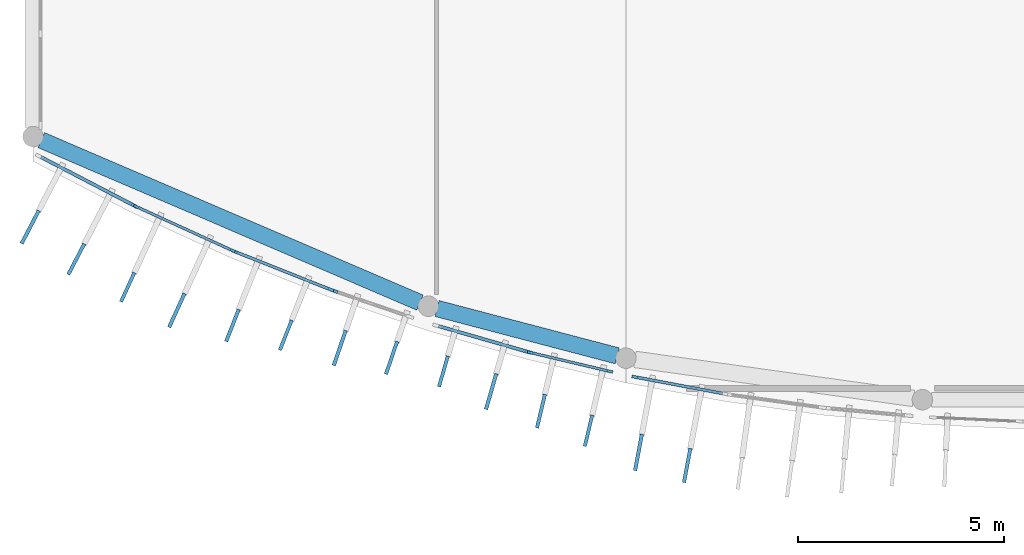
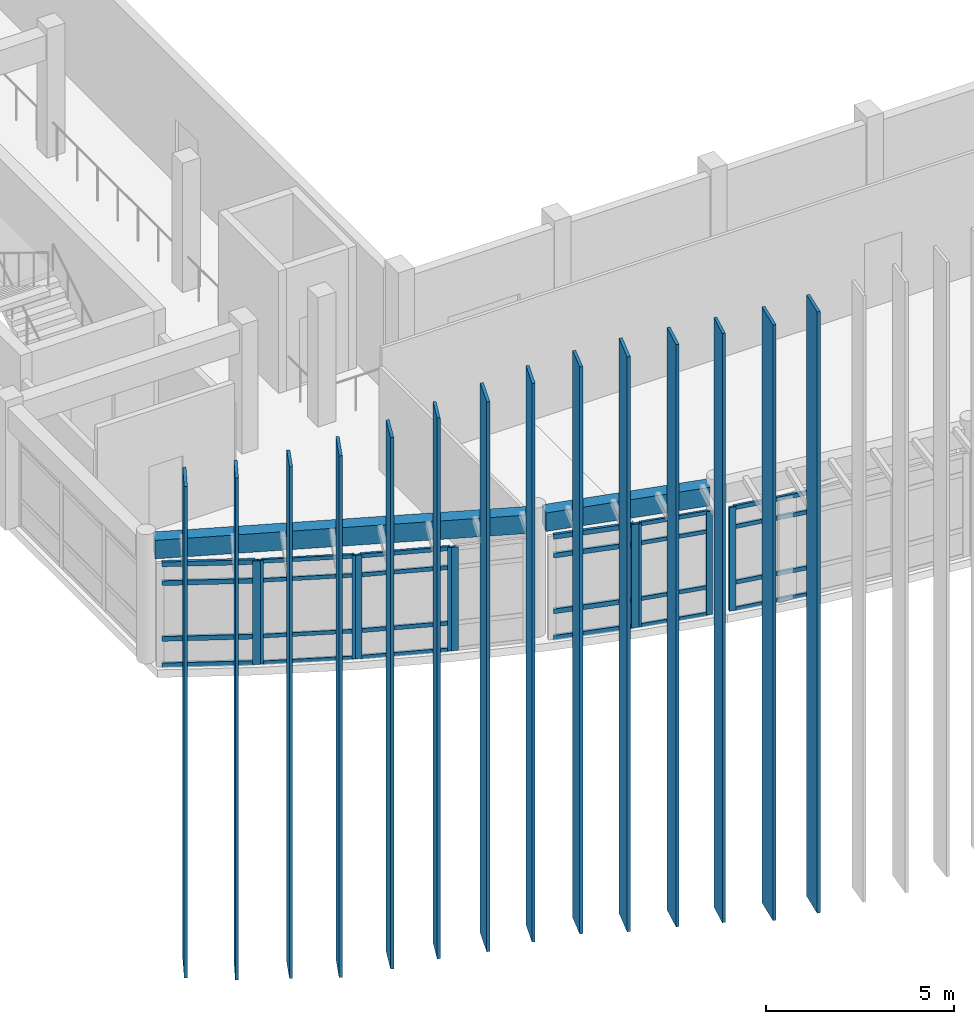
# One storey, part 5 of 47: 48 members, 2 beams, 7 elements without a shape of their own.
"""IFC4 building model written with IfcOpenShell, lengths in metres."""

from ifc_helpers import new_model, si_unit, direction, frame, origin, origin_2d, place, context, subcontext, project, spatial, rectangle, extrude, material, layer, layer_set, material_profile, profile_set, type_object, element, aggregate, save


model = new_model("IFC4")

# Units and contexts
model_context = context("Model", 3, precision=1e-05, world=origin(), true_north=direction((0.0, 1.0)))
body_context = subcontext(model_context, "Body", "Model", "MODEL_VIEW")
ifc_project = project(units=[si_unit("LENGTHUNIT", "METRE"), si_unit("AREAUNIT", "SQUARE_METRE"), si_unit("VOLUMEUNIT", "CUBIC_METRE"), si_unit("PLANEANGLEUNIT", "RADIAN"), si_unit("MASSUNIT", "GRAM", prefix="KILO")], contexts=[model_context])

# Site, building, storey
site_placement = place(None, origin())
site = spatial("IfcSite", under=ifc_project, at=site_placement, CompositionType="ELEMENT")
building_placement = place(site_placement, origin())
building = spatial("IfcBuilding", under=site, at=building_placement, Name="Brisavento Harbour Community Centre", CompositionType="ELEMENT")
storey_placement = place(building_placement, frame((0.0, 0.0, 8.699951171875)))
storey = spatial("IfcBuildingStorey", under=building, at=storey_placement, Name="L02", CompositionType="ELEMENT", Elevation=8.699951171875)

# Beams
ifc_material_1 = material(Name="Concrete C35/45", Category="concrete")
ifc_material_profile_1 = material_profile(ifc_material_1, rectangle(XDim=0.39990234375, YDim=0.60009765625, at=origin_2d()), Name="Concrete C35/45")
ifc_profile_set_1 = profile_set([ifc_material_profile_1], Name="Concrete C35/45")
beam_type = type_object("IfcBeamType", Name="BM-SPN-400x600", PredefinedType="SPANDREL", material=ifc_profile_set_1)
beam_1_placement = place(storey_placement, frame((0.2021484375, 7.027587890625, 3.66015625), z_axis=(0.918969522078, -0.394328565401, 0.0), x_axis=(0.394328565401, 0.918969522078, 0.0)))
element("IfcBeam", 1, at=beam_1_placement, inside=storey, type_object=beam_type, Name="L02 curved perimeter spandrel 0633", PredefinedType="SPANDREL", context=body_context, shape_type="SweptSolid", body=[
    extrude(rectangle(XDim=0.39990234375, YDim=0.60009765625, at=origin_2d()), origin(), (0.0, 0.0, 1.0), 10.00634765625),
])
beam_2_placement = place(storey_placement, frame((9.812744140625, 2.939208984375, 3.66015625), z_axis=(0.967170956244, -0.254126624735, 0.0), x_axis=(0.254126624735, 0.967170956244, 0.0)))
element("IfcBeam", 2, at=beam_2_placement, inside=storey, type_object=beam_type, Name="L02 curved perimeter spandrel 0634", PredefinedType="SPANDREL", context=body_context, shape_type="SweptSolid", body=[
    extrude(rectangle(XDim=0.39990234375, YDim=0.60009765625, at=origin_2d()), origin(), (0.0, 0.0, 1.0), 4.52294921875),
])

# Curtain wall, members
ifc_material_2 = material(Name="Marine-anodised aluminium AW-6063-T6", Category="aluminium")
ifc_layer_1 = layer(ifc_material_2, 0.179931640625, Name="Marine-anodised aluminium AW-6063-T6")
ifc_layer_set_1 = layer_set([ifc_layer_1], Name="Marine-anodised aluminium AW-6063-T6")
curtain_wall_type_1 = type_object("IfcCurtainWallType", Name="CW-SYS-09", PredefinedType="USERDEFINED", material=ifc_layer_set_1)
curtain_wall_1_placement = place(storey_placement, origin())
curtain_wall_1 = element("IfcCurtainWall", 3, at=curtain_wall_1_placement, inside=storey, type_object=curtain_wall_type_1, Name="L02 V1 unitised curtain wall 093", ObjectType="UNITISED CURTAIN WALL", PredefinedType="USERDEFINED")
ifc_material_profile_2 = material_profile(ifc_material_2, rectangle(XDim=0.06494140625, YDim=0.1650390625, at=origin_2d()), Name="Marine-anodised aluminium AW-6063-T6")
ifc_profile_set_2 = profile_set([ifc_material_profile_2], Name="Marine-anodised aluminium AW-6063-T6")
member_type_1 = type_object("IfcMemberType", Name="CWM-01", PredefinedType="MULLION", material=ifc_profile_set_2)
member_1_placement = place(storey_placement, frame((4.828857421875, 4.353515625, 0.0), z_axis=(0.0, 0.0, 1.0), x_axis=(-0.415490040189, -0.909597727846, 0.0)))
member_1 = element("IfcMember", 4, at=member_1_placement, type_object=member_type_1, Name="CW-09 mullion 1", PredefinedType="MULLION", context=body_context, shape_type="SweptSolid", body=[
    extrude(rectangle(XDim=0.06494140625, YDim=0.1650390625, at=origin_2d()), origin(), (0.0, 0.0, 1.0), 3.360107421875),
])
member_2_placement = place(storey_placement, frame((2.520751953125, 5.40771484375, 0.0), z_axis=(0.0, 0.0, 1.0), x_axis=(-0.415490040189, -0.909597727846, 0.0)))
member_2 = element("IfcMember", 5, at=member_2_placement, type_object=member_type_1, Name="CW-09 mullion 2", PredefinedType="MULLION", context=body_context, shape_type="SweptSolid", body=[
    extrude(rectangle(XDim=0.06494140625, YDim=0.1650390625, at=origin_2d()), origin(), (0.0, 0.0, 1.0), 3.360107421875),
])

ifc_layer_2 = layer(ifc_material_2, 0.179931640625, Name="Marine-anodised aluminium AW-6063-T6")
ifc_layer_set_2 = layer_set([ifc_layer_2], Name="Marine-anodised aluminium AW-6063-T6")
curtain_wall_type_2 = type_object("IfcCurtainWallType", Name="CW-SYS-13", PredefinedType="USERDEFINED", material=ifc_layer_set_2)
curtain_wall_2_placement = place(storey_placement, origin())
curtain_wall_2 = element("IfcCurtainWall", 6, at=curtain_wall_2_placement, inside=storey, type_object=curtain_wall_type_2, Name="L02 V1 unitised curtain wall 097", ObjectType="UNITISED CURTAIN WALL", PredefinedType="USERDEFINED")
member_3_placement = place(storey_placement, frame((13.9970703125, 1.41455078125, 0.0), z_axis=(0.0, 0.0, 1.0), x_axis=(-0.230812289714, -0.972998297489, 0.0)))
member_3 = element("IfcMember", 7, at=member_3_placement, type_object=member_type_1, Name="CW-13 mullion 1", PredefinedType="MULLION", context=body_context, shape_type="SweptSolid", body=[
    extrude(rectangle(XDim=0.06494140625, YDim=0.1650390625, at=origin_2d()), origin(), (0.0, 0.0, 1.0), 3.360107421875),
])
member_4_placement = place(storey_placement, frame((12.0908203125, 1.86669921875, 0.0), z_axis=(0.0, 0.0, 1.0), x_axis=(-0.230812289714, -0.972998297489, 0.0)))
member_4 = element("IfcMember", 8, at=member_4_placement, type_object=member_type_1, Name="CW-13 mullion 2", PredefinedType="MULLION", context=body_context, shape_type="SweptSolid", body=[
    extrude(rectangle(XDim=0.06494140625, YDim=0.1650390625, at=origin_2d()), origin(), (0.0, 0.0, 1.0), 3.360107421875),
])

ifc_layer_3 = layer(ifc_material_2, 0.179931640625, Name="Marine-anodised aluminium AW-6063-T6")
ifc_layer_set_3 = layer_set([ifc_layer_3], Name="Marine-anodised aluminium AW-6063-T6")
curtain_wall_type_3 = type_object("IfcCurtainWallType", Name="CW-SYS-10", PredefinedType="USERDEFINED", material=ifc_layer_set_3)
curtain_wall_3_placement = place(storey_placement, origin())
curtain_wall_3 = element("IfcCurtainWall", 9, at=curtain_wall_3_placement, inside=storey, type_object=curtain_wall_type_3, Name="L02 V1 unitised curtain wall 094", ObjectType="UNITISED CURTAIN WALL", PredefinedType="USERDEFINED")
ifc_material_profile_3 = material_profile(ifc_material_2, rectangle(XDim=0.070068359375, YDim=0.179931640625, at=origin_2d()), Name="Marine-anodised aluminium AW-6063-T6")
ifc_profile_set_3 = profile_set([ifc_material_profile_3], Name="Marine-anodised aluminium AW-6063-T6")
member_type_2 = type_object("IfcMemberType", Name="CWM-02", PredefinedType="MULLION", material=ifc_profile_set_3)
member_5_placement = place(storey_placement, frame((7.21728515625, 3.401611328125, 0.0), z_axis=(0.0, 0.0, 1.0), x_axis=(-0.369379094613, -0.929278798027, 0.0)))
member_5 = element("IfcMember", 10, at=member_5_placement, type_object=member_type_2, Name="CW-10 mullion 1", PredefinedType="MULLION", context=body_context, shape_type="SweptSolid", body=[
    extrude(rectangle(XDim=0.070068359375, YDim=0.179931640625, at=origin_2d()), origin(), (0.0, 0.0, 1.0), 3.360107421875),
])
member_6_placement = place(storey_placement, frame((4.915771484375, 4.31640625, 0.0), z_axis=(0.0, 0.0, 1.0), x_axis=(-0.369379094613, -0.929278798027, 0.0)))
member_6 = element("IfcMember", 11, at=member_6_placement, type_object=member_type_2, Name="CW-10 mullion 2", PredefinedType="MULLION", context=body_context, shape_type="SweptSolid", body=[
    extrude(rectangle(XDim=0.070068359375, YDim=0.179931640625, at=origin_2d()), origin(), (0.0, 0.0, 1.0), 3.360107421875),
])

# Curtain wall, member
ifc_layer_4 = layer(ifc_material_2, 0.179931640625, Name="Marine-anodised aluminium AW-6063-T6")
ifc_layer_set_4 = layer_set([ifc_layer_4], Name="Marine-anodised aluminium AW-6063-T6")
curtain_wall_type_4 = type_object("IfcCurtainWallType", Name="CW-SYS-14", PredefinedType="USERDEFINED", material=ifc_layer_set_4)
curtain_wall_4_placement = place(storey_placement, origin())
curtain_wall_4 = element("IfcCurtainWall", 12, at=curtain_wall_4_placement, inside=storey, type_object=curtain_wall_type_4, Name="L02 V1 unitised curtain wall 098", ObjectType="UNITISED CURTAIN WALL", PredefinedType="USERDEFINED")
member_7_placement = place(storey_placement, frame((14.630859375, 1.273681640625, 0.0), z_axis=(0.0, 0.0, 1.0), x_axis=(-0.184689637418, -0.982796895513, 0.0)))
member_7 = element("IfcMember", 13, at=member_7_placement, type_object=member_type_2, Name="CW-14 mullion 2", PredefinedType="MULLION", context=body_context, shape_type="SweptSolid", body=[
    extrude(rectangle(XDim=0.070068359375, YDim=0.179931640625, at=origin_2d()), origin(), (0.0, 0.0, 1.0), 3.360107421875),
])

ifc_layer_5 = layer(ifc_material_2, 0.179931640625, Name="Marine-anodised aluminium AW-6063-T6")
ifc_layer_set_5 = layer_set([ifc_layer_5], Name="Marine-anodised aluminium AW-6063-T6")
curtain_wall_type_5 = type_object("IfcCurtainWallType", Name="CW-SYS-11", PredefinedType="USERDEFINED", material=ifc_layer_set_5)
curtain_wall_5_placement = place(storey_placement, origin())
curtain_wall_5 = element("IfcCurtainWall", 14, at=curtain_wall_5_placement, inside=storey, type_object=curtain_wall_type_5, Name="L02 V1 unitised curtain wall 095", ObjectType="UNITISED CURTAIN WALL", PredefinedType="USERDEFINED")
ifc_material_profile_4 = material_profile(ifc_material_2, rectangle(XDim=0.074951171875, YDim=0.18994140625, at=origin_2d()), Name="Marine-anodised aluminium AW-6063-T6")
ifc_profile_set_4 = profile_set([ifc_material_profile_4], Name="Marine-anodised aluminium AW-6063-T6")
member_type_3 = type_object("IfcMemberType", Name="CWM-03", PredefinedType="MULLION", material=ifc_profile_set_4)
member_8_placement = place(storey_placement, frame((7.310791015625, 3.3671875, 0.0), z_axis=(0.0, 0.0, 1.0), x_axis=(-0.323178425743, -0.946338050136, 0.0)))
member_8 = element("IfcMember", 15, at=member_8_placement, type_object=member_type_3, Name="CW-11 mullion 2", PredefinedType="MULLION", context=body_context, shape_type="SweptSolid", body=[
    extrude(rectangle(XDim=0.074951171875, YDim=0.18994140625, at=origin_2d()), origin(), (0.0, 0.0, 1.0), 3.360107421875),
])
aggregate(curtain_wall_5, [member_8])

ifc_layer_6 = layer(ifc_material_2, 0.179931640625, Name="Marine-anodised aluminium AW-6063-T6")
ifc_layer_set_6 = layer_set([ifc_layer_6], Name="Marine-anodised aluminium AW-6063-T6")
curtain_wall_type_6 = type_object("IfcCurtainWallType", Name="CW-SYS-08", PredefinedType="USERDEFINED", material=ifc_layer_set_6)
curtain_wall_6_placement = place(storey_placement, origin())
curtain_wall_6 = element("IfcCurtainWall", 16, at=curtain_wall_6_placement, inside=storey, type_object=curtain_wall_type_6, Name="L02 V1 unitised curtain wall 092", ObjectType="UNITISED CURTAIN WALL", PredefinedType="USERDEFINED")
ifc_material_profile_5 = material_profile(ifc_material_2, rectangle(XDim=0.080078125, YDim=0.2099609375, at=origin_2d()), Name="Marine-anodised aluminium AW-6063-T6")
ifc_profile_set_5 = profile_set([ifc_material_profile_5], Name="Marine-anodised aluminium AW-6063-T6")
member_type_4 = type_object("IfcMemberType", Name="CWM-04", PredefinedType="MULLION", material=ifc_profile_set_5)
member_9_placement = place(storey_placement, frame((2.431640625, 5.451416015625, 0.0), z_axis=(0.0, 0.0, 1.0), x_axis=(-0.461731608705, -0.887019684969, 0.0)))
member_9 = element("IfcMember", 17, at=member_9_placement, type_object=member_type_4, Name="CW-08 mullion 1", PredefinedType="MULLION", context=body_context, shape_type="SweptSolid", body=[
    extrude(rectangle(XDim=0.080078125, YDim=0.2099609375, at=origin_2d()), origin(), (0.0, 0.0, 1.0), 3.360107421875),
])

ifc_layer_7 = layer(ifc_material_2, 0.179931640625, Name="Marine-anodised aluminium AW-6063-T6")
ifc_layer_set_7 = layer_set([ifc_layer_7], Name="Marine-anodised aluminium AW-6063-T6")
curtain_wall_type_7 = type_object("IfcCurtainWallType", Name="CW-SYS-12", PredefinedType="USERDEFINED", material=ifc_layer_set_7)
curtain_wall_7_placement = place(storey_placement, origin())
curtain_wall_7 = element("IfcCurtainWall", 18, at=curtain_wall_7_placement, inside=storey, type_object=curtain_wall_type_7, Name="L02 V1 unitised curtain wall 096", ObjectType="UNITISED CURTAIN WALL", PredefinedType="USERDEFINED")
member_10_placement = place(storey_placement, frame((11.994140625, 1.892333984375, 0.0), z_axis=(0.0, 0.0, 1.0), x_axis=(-0.277011917183, -0.960866482785, 0.0)))
member_10 = element("IfcMember", 19, at=member_10_placement, type_object=member_type_4, Name="CW-12 mullion 1", PredefinedType="MULLION", context=body_context, shape_type="SweptSolid", body=[
    extrude(rectangle(XDim=0.080078125, YDim=0.2099609375, at=origin_2d()), origin(), (0.0, 0.0, 1.0), 3.360107421875),
])

# Member
ifc_material_profile_6 = material_profile(ifc_material_2, rectangle(XDim=0.06494140625, YDim=0.125, at=origin_2d()), Name="Marine-anodised aluminium AW-6063-T6")
ifc_profile_set_6 = profile_set([ifc_material_profile_6], Name="Marine-anodised aluminium AW-6063-T6")
member_type_5 = type_object("IfcMemberType", Name="CWT-01", PredefinedType="USERDEFINED", material=ifc_profile_set_6)
member_11_placement = place(storey_placement, frame((4.79931640625, 4.366943359375, 0.032470703125), z_axis=(-0.909593912903, 0.415498391825, 0.0), x_axis=(-0.415498391825, -0.909593912903, 0.0)))
member_11 = element("IfcMember", 20, at=member_11_placement, type_object=member_type_5, Name="CW-09 transom 1.1", ObjectType="TRANSOM", PredefinedType="USERDEFINED", context=body_context, shape_type="SweptSolid", body=[
    extrude(rectangle(XDim=0.06494140625, YDim=0.125, at=origin_2d()), origin(), (0.0, 0.0, 1.0), 2.47265625),
])

member_12_placement = place(storey_placement, frame((4.79931640625, 4.366943359375, 0.900146484375), z_axis=(-0.909593912903, 0.415498391825, 0.0), x_axis=(-0.415498391825, -0.909593912903, 0.0)))
member_12 = element("IfcMember", 21, at=member_12_placement, type_object=member_type_5, Name="CW-09 transom 1.2", ObjectType="TRANSOM", PredefinedType="USERDEFINED", context=body_context, shape_type="SweptSolid", body=[
    extrude(rectangle(XDim=0.06494140625, YDim=0.125, at=origin_2d()), origin(), (0.0, 0.0, 1.0), 2.47265625),
])

member_13_placement = place(storey_placement, frame((4.79931640625, 4.366943359375, 2.7099609375), z_axis=(-0.909593912903, 0.415498391825, 0.0), x_axis=(-0.415498391825, -0.909593912903, 0.0)))
member_13 = element("IfcMember", 22, at=member_13_placement, type_object=member_type_5, Name="CW-09 transom 1.3", ObjectType="TRANSOM", PredefinedType="USERDEFINED", context=body_context, shape_type="SweptSolid", body=[
    extrude(rectangle(XDim=0.06494140625, YDim=0.125, at=origin_2d()), origin(), (0.0, 0.0, 1.0), 2.47265625),
])

member_14_placement = place(storey_placement, frame((4.79931640625, 4.366943359375, 3.32763671875), z_axis=(-0.909593912903, 0.415498391825, 0.0), x_axis=(-0.415498391825, -0.909593912903, 0.0)))
member_14 = element("IfcMember", 23, at=member_14_placement, type_object=member_type_5, Name="CW-09 transom 1.4", ObjectType="TRANSOM", PredefinedType="USERDEFINED", context=body_context, shape_type="SweptSolid", body=[
    extrude(rectangle(XDim=0.06494140625, YDim=0.125, at=origin_2d()), origin(), (0.0, 0.0, 1.0), 2.47265625),
])

aggregate(curtain_wall_1, [member_1, member_2, member_11, member_12, member_13, member_14])

member_15_placement = place(storey_placement, frame((13.96533203125, 1.422119140625, 0.032470703125), z_axis=(-0.973020160263, 0.230720106885, 0.0), x_axis=(-0.230720106885, -0.973020160263, 0.0)))
member_15 = element("IfcMember", 24, at=member_15_placement, type_object=member_type_5, Name="CW-13 transom 1.1", ObjectType="TRANSOM", PredefinedType="USERDEFINED", context=body_context, shape_type="SweptSolid", body=[
    extrude(rectangle(XDim=0.06494140625, YDim=0.125, at=origin_2d()), origin(), (0.0, 0.0, 1.0), 1.89404296875),
])

member_16_placement = place(storey_placement, frame((13.96533203125, 1.422119140625, 0.900146484375), z_axis=(-0.973020160263, 0.230720106885, 0.0), x_axis=(-0.230720106885, -0.973020160263, 0.0)))
member_16 = element("IfcMember", 25, at=member_16_placement, type_object=member_type_5, Name="CW-13 transom 1.2", ObjectType="TRANSOM", PredefinedType="USERDEFINED", context=body_context, shape_type="SweptSolid", body=[
    extrude(rectangle(XDim=0.06494140625, YDim=0.125, at=origin_2d()), origin(), (0.0, 0.0, 1.0), 1.89404296875),
])

member_17_placement = place(storey_placement, frame((13.96533203125, 1.422119140625, 2.7099609375), z_axis=(-0.973020160263, 0.230720106885, 0.0), x_axis=(-0.230720106885, -0.973020160263, 0.0)))
member_17 = element("IfcMember", 26, at=member_17_placement, type_object=member_type_5, Name="CW-13 transom 1.3", ObjectType="TRANSOM", PredefinedType="USERDEFINED", context=body_context, shape_type="SweptSolid", body=[
    extrude(rectangle(XDim=0.06494140625, YDim=0.125, at=origin_2d()), origin(), (0.0, 0.0, 1.0), 1.89404296875),
])

member_18_placement = place(storey_placement, frame((13.96533203125, 1.422119140625, 3.32763671875), z_axis=(-0.973020160263, 0.230720106885, 0.0), x_axis=(-0.230720106885, -0.973020160263, 0.0)))
member_18 = element("IfcMember", 27, at=member_18_placement, type_object=member_type_5, Name="CW-13 transom 1.4", ObjectType="TRANSOM", PredefinedType="USERDEFINED", context=body_context, shape_type="SweptSolid", body=[
    extrude(rectangle(XDim=0.06494140625, YDim=0.125, at=origin_2d()), origin(), (0.0, 0.0, 1.0), 1.89404296875),
])

aggregate(curtain_wall_2, [member_3, member_4, member_15, member_16, member_17, member_18])

ifc_material_profile_7 = material_profile(ifc_material_2, rectangle(XDim=0.070068359375, YDim=0.132080078125, at=origin_2d()), Name="Marine-anodised aluminium AW-6063-T6")
ifc_profile_set_7 = profile_set([ifc_material_profile_7], Name="Marine-anodised aluminium AW-6063-T6")
member_type_6 = type_object("IfcMemberType", Name="CWT-02", PredefinedType="USERDEFINED", material=ifc_profile_set_7)
member_19_placement = place(storey_placement, frame((7.184814453125, 3.41455078125, 0.03515625), z_axis=(-0.929292952789, 0.369343482273, 0.0), x_axis=(-0.369343482273, -0.929292952789, 0.0)))
member_19 = element("IfcMember", 28, at=member_19_placement, type_object=member_type_6, Name="CW-10 transom 1.1", ObjectType="TRANSOM", PredefinedType="USERDEFINED", context=body_context, shape_type="SweptSolid", body=[
    extrude(rectangle(XDim=0.070068359375, YDim=0.132080078125, at=origin_2d()), origin(), (0.0, 0.0, 1.0), 2.40673828125),
])

member_20_placement = place(storey_placement, frame((7.184814453125, 3.41455078125, 0.900146484375), z_axis=(-0.929292952789, 0.369343482273, 0.0), x_axis=(-0.369343482273, -0.929292952789, 0.0)))
member_20 = element("IfcMember", 29, at=member_20_placement, type_object=member_type_6, Name="CW-10 transom 1.2", ObjectType="TRANSOM", PredefinedType="USERDEFINED", context=body_context, shape_type="SweptSolid", body=[
    extrude(rectangle(XDim=0.070068359375, YDim=0.132080078125, at=origin_2d()), origin(), (0.0, 0.0, 1.0), 2.40673828125),
])

member_21_placement = place(storey_placement, frame((7.184814453125, 3.41455078125, 2.7099609375), z_axis=(-0.929292952789, 0.369343482273, 0.0), x_axis=(-0.369343482273, -0.929292952789, 0.0)))
member_21 = element("IfcMember", 30, at=member_21_placement, type_object=member_type_6, Name="CW-10 transom 1.3", ObjectType="TRANSOM", PredefinedType="USERDEFINED", context=body_context, shape_type="SweptSolid", body=[
    extrude(rectangle(XDim=0.070068359375, YDim=0.132080078125, at=origin_2d()), origin(), (0.0, 0.0, 1.0), 2.40673828125),
])

member_22_placement = place(storey_placement, frame((7.184814453125, 3.41455078125, 3.324951171875), z_axis=(-0.929292952789, 0.369343482273, 0.0), x_axis=(-0.369343482273, -0.929292952789, 0.0)))
member_22 = element("IfcMember", 31, at=member_22_placement, type_object=member_type_6, Name="CW-10 transom 1.4", ObjectType="TRANSOM", PredefinedType="USERDEFINED", context=body_context, shape_type="SweptSolid", body=[
    extrude(rectangle(XDim=0.070068359375, YDim=0.132080078125, at=origin_2d()), origin(), (0.0, 0.0, 1.0), 2.40673828125),
])

aggregate(curtain_wall_3, [member_5, member_6, member_19, member_20, member_21, member_22])

member_23_placement = place(storey_placement, frame((16.746826171875, 0.876220703125, 0.03515625), z_axis=(-0.982801647447, 0.184664348957, 0.0), x_axis=(-0.184664348957, -0.982801647447, 0.0)))
member_23 = element("IfcMember", 32, at=member_23_placement, type_object=member_type_6, Name="CW-14 transom 1.1", ObjectType="TRANSOM", PredefinedType="USERDEFINED", context=body_context, shape_type="SweptSolid", body=[
    extrude(rectangle(XDim=0.070068359375, YDim=0.132080078125, at=origin_2d()), origin(), (0.0, 0.0, 1.0), 2.117919921875),
])

member_24_placement = place(storey_placement, frame((16.746826171875, 0.876220703125, 0.900146484375), z_axis=(-0.982801647447, 0.184664348957, 0.0), x_axis=(-0.184664348957, -0.982801647447, 0.0)))
member_24 = element("IfcMember", 33, at=member_24_placement, type_object=member_type_6, Name="CW-14 transom 1.2", ObjectType="TRANSOM", PredefinedType="USERDEFINED", context=body_context, shape_type="SweptSolid", body=[
    extrude(rectangle(XDim=0.070068359375, YDim=0.132080078125, at=origin_2d()), origin(), (0.0, 0.0, 1.0), 2.117919921875),
])

member_25_placement = place(storey_placement, frame((16.746826171875, 0.876220703125, 2.7099609375), z_axis=(-0.982801647447, 0.184664348957, 0.0), x_axis=(-0.184664348957, -0.982801647447, 0.0)))
member_25 = element("IfcMember", 34, at=member_25_placement, type_object=member_type_6, Name="CW-14 transom 1.3", ObjectType="TRANSOM", PredefinedType="USERDEFINED", context=body_context, shape_type="SweptSolid", body=[
    extrude(rectangle(XDim=0.070068359375, YDim=0.132080078125, at=origin_2d()), origin(), (0.0, 0.0, 1.0), 2.117919921875),
])

member_26_placement = place(storey_placement, frame((16.746826171875, 0.876220703125, 3.324951171875), z_axis=(-0.982801647447, 0.184664348957, 0.0), x_axis=(-0.184664348957, -0.982801647447, 0.0)))
member_26 = element("IfcMember", 35, at=member_26_placement, type_object=member_type_6, Name="CW-14 transom 1.4", ObjectType="TRANSOM", PredefinedType="USERDEFINED", context=body_context, shape_type="SweptSolid", body=[
    extrude(rectangle(XDim=0.070068359375, YDim=0.132080078125, at=origin_2d()), origin(), (0.0, 0.0, 1.0), 2.117919921875),
])

aggregate(curtain_wall_4, [member_7, member_23, member_24, member_25, member_26])

ifc_material_profile_8 = material_profile(ifc_material_2, rectangle(XDim=0.080078125, YDim=0.155029296875, at=origin_2d()), Name="Marine-anodised aluminium AW-6063-T6")
ifc_profile_set_8 = profile_set([ifc_material_profile_8], Name="Marine-anodised aluminium AW-6063-T6")
member_type_7 = type_object("IfcMemberType", Name="CWT-04", PredefinedType="USERDEFINED", material=ifc_profile_set_8)
member_27_placement = place(storey_placement, frame((2.396240234375, 5.469970703125, 0.0400390625), z_axis=(-0.887031567196, 0.461708781373, 0.0), x_axis=(-0.461708781373, -0.887031567196, 0.0)))
member_27 = element("IfcMember", 36, at=member_27_placement, type_object=member_type_7, Name="CW-08 transom 1.1", ObjectType="TRANSOM", PredefinedType="USERDEFINED", context=body_context, shape_type="SweptSolid", body=[
    extrude(rectangle(XDim=0.080078125, YDim=0.155029296875, at=origin_2d()), origin(), (0.0, 0.0, 1.0), 2.482666015625),
])

member_28_placement = place(storey_placement, frame((2.396240234375, 5.469970703125, 0.900146484375), z_axis=(-0.887031567196, 0.461708781373, 0.0), x_axis=(-0.461708781373, -0.887031567196, 0.0)))
member_28 = element("IfcMember", 37, at=member_28_placement, type_object=member_type_7, Name="CW-08 transom 1.2", ObjectType="TRANSOM", PredefinedType="USERDEFINED", context=body_context, shape_type="SweptSolid", body=[
    extrude(rectangle(XDim=0.080078125, YDim=0.155029296875, at=origin_2d()), origin(), (0.0, 0.0, 1.0), 2.482666015625),
])

member_29_placement = place(storey_placement, frame((2.396240234375, 5.469970703125, 2.7099609375), z_axis=(-0.887031567196, 0.461708781373, 0.0), x_axis=(-0.461708781373, -0.887031567196, 0.0)))
member_29 = element("IfcMember", 38, at=member_29_placement, type_object=member_type_7, Name="CW-08 transom 1.3", ObjectType="TRANSOM", PredefinedType="USERDEFINED", context=body_context, shape_type="SweptSolid", body=[
    extrude(rectangle(XDim=0.080078125, YDim=0.155029296875, at=origin_2d()), origin(), (0.0, 0.0, 1.0), 2.482666015625),
])

member_30_placement = place(storey_placement, frame((2.396240234375, 5.469970703125, 3.320068359375), z_axis=(-0.887031567196, 0.461708781373, 0.0), x_axis=(-0.461708781373, -0.887031567196, 0.0)))
member_30 = element("IfcMember", 39, at=member_30_placement, type_object=member_type_7, Name="CW-08 transom 1.4", ObjectType="TRANSOM", PredefinedType="USERDEFINED", context=body_context, shape_type="SweptSolid", body=[
    extrude(rectangle(XDim=0.080078125, YDim=0.155029296875, at=origin_2d()), origin(), (0.0, 0.0, 1.0), 2.482666015625),
])

aggregate(curtain_wall_6, [member_9, member_27, member_28, member_29, member_30])

member_31_placement = place(storey_placement, frame((11.955810546875, 1.9033203125, 0.0400390625), z_axis=(-0.960861232494, 0.277030128126, 0.0), x_axis=(-0.277030128126, -0.960861232494, 0.0)))
member_31 = element("IfcMember", 40, at=member_31_placement, type_object=member_type_7, Name="CW-12 transom 1.1", ObjectType="TRANSOM", PredefinedType="USERDEFINED", context=body_context, shape_type="SweptSolid", body=[
    extrude(rectangle(XDim=0.080078125, YDim=0.155029296875, at=origin_2d()), origin(), (0.0, 0.0, 1.0), 2.191650390625),
])

member_32_placement = place(storey_placement, frame((11.955810546875, 1.9033203125, 0.900146484375), z_axis=(-0.960861232494, 0.277030128126, 0.0), x_axis=(-0.277030128126, -0.960861232494, 0.0)))
member_32 = element("IfcMember", 41, at=member_32_placement, type_object=member_type_7, Name="CW-12 transom 1.2", ObjectType="TRANSOM", PredefinedType="USERDEFINED", context=body_context, shape_type="SweptSolid", body=[
    extrude(rectangle(XDim=0.080078125, YDim=0.155029296875, at=origin_2d()), origin(), (0.0, 0.0, 1.0), 2.191650390625),
])

member_33_placement = place(storey_placement, frame((11.955810546875, 1.9033203125, 2.7099609375), z_axis=(-0.960861232494, 0.277030128126, 0.0), x_axis=(-0.277030128126, -0.960861232494, 0.0)))
member_33 = element("IfcMember", 42, at=member_33_placement, type_object=member_type_7, Name="CW-12 transom 1.3", ObjectType="TRANSOM", PredefinedType="USERDEFINED", context=body_context, shape_type="SweptSolid", body=[
    extrude(rectangle(XDim=0.080078125, YDim=0.155029296875, at=origin_2d()), origin(), (0.0, 0.0, 1.0), 2.191650390625),
])

member_34_placement = place(storey_placement, frame((11.955810546875, 1.9033203125, 3.320068359375), z_axis=(-0.960861232494, 0.277030128126, 0.0), x_axis=(-0.277030128126, -0.960861232494, 0.0)))
member_34 = element("IfcMember", 43, at=member_34_placement, type_object=member_type_7, Name="CW-12 transom 1.4", ObjectType="TRANSOM", PredefinedType="USERDEFINED", context=body_context, shape_type="SweptSolid", body=[
    extrude(rectangle(XDim=0.080078125, YDim=0.155029296875, at=origin_2d()), origin(), (0.0, 0.0, 1.0), 2.191650390625),
])

aggregate(curtain_wall_7, [member_10, member_31, member_32, member_33, member_34])

# Members
ifc_material_3 = material(Name="Off-white marine-anodised aluminium AW-6063-T6", Category="aluminium")
ifc_material_profile_9 = material_profile(ifc_material_3, rectangle(XDim=0.090087890625, YDim=0.89990234375, at=origin_2d()), Name="Off-white marine-anodised aluminium AW-6063-T6")
ifc_profile_set_9 = profile_set([ifc_material_profile_9], Name="Off-white marine-anodised aluminium AW-6063-T6")
member_type_8 = type_object("IfcMemberType", Name="FIN-STORM-1", PredefinedType="USERDEFINED", material=ifc_profile_set_9)
member_35_placement = place(storey_placement, frame((-0.06884765625, 4.9169921875, -8.699951171875), z_axis=(0.0, 0.0, 1.0), x_axis=(-0.887035009063, 0.461702168823, 0.0)))
element("IfcMember", 44, at=member_35_placement, inside=storey, type_object=member_type_8, Name="Standing-clear white storm fin 001", ObjectType="FIN", PredefinedType="USERDEFINED", context=body_context, shape_type="SweptSolid", body=[
    extrude(rectangle(XDim=0.090087890625, YDim=0.89990234375, at=origin_2d()), origin(), (0.0, 0.0, 1.0), 15.964599609375),
])
member_36_placement = place(storey_placement, frame((3.4921875, 2.8935546875, -8.699951171875), z_axis=(0.0, 0.0, 1.0), x_axis=(-0.909584532519, 0.415518926407, 0.0)))
element("IfcMember", 45, at=member_36_placement, inside=storey, type_object=member_type_8, Name="Standing-clear white storm fin 004", ObjectType="FIN", PredefinedType="USERDEFINED", context=body_context, shape_type="SweptSolid", body=[
    extrude(rectangle(XDim=0.090087890625, YDim=0.89990234375, at=origin_2d()), origin(), (0.0, 0.0, 1.0), 16.938720703125),
])
member_37_placement = place(storey_placement, frame((7.44873046875, 1.98095703125, -8.699951171875), z_axis=(0.0, 0.0, 1.0), x_axis=(-0.94633947115, 0.323174264667, 0.0)))
element("IfcMember", 46, at=member_37_placement, inside=storey, type_object=member_type_8, Name="Standing-clear white storm fin 007", ObjectType="FIN", PredefinedType="USERDEFINED", context=body_context, shape_type="SweptSolid", body=[
    extrude(rectangle(XDim=0.090087890625, YDim=0.89990234375, at=origin_2d()), origin(), (0.0, 0.0, 1.0), 17.85595703125),
])
member_38_placement = place(storey_placement, frame((11.125244140625, 0.923095703125, -8.699951171875), z_axis=(0.0, 0.0, 1.0), x_axis=(-0.96087106235, 0.276996031628, 0.0)))
element("IfcMember", 47, at=member_38_placement, inside=storey, type_object=member_type_8, Name="Standing-clear white storm fin 010", ObjectType="FIN", PredefinedType="USERDEFINED", context=body_context, shape_type="SweptSolid", body=[
    extrude(rectangle(XDim=0.090087890625, YDim=0.89990234375, at=origin_2d()), origin(), (0.0, 0.0, 1.0), 18.670166015625),
])
member_39_placement = place(storey_placement, frame((14.703857421875, -0.5546875, -8.699951171875), z_axis=(0.0, 0.0, 1.0), x_axis=(-0.982800241691, 0.184671830369, 0.0)))
element("IfcMember", 48, at=member_39_placement, inside=storey, type_object=member_type_8, Name="Standing-clear white storm fin 013", ObjectType="FIN", PredefinedType="USERDEFINED", context=body_context, shape_type="SweptSolid", body=[
    extrude(rectangle(XDim=0.090087890625, YDim=0.89990234375, at=origin_2d()), origin(), (0.0, 0.0, 1.0), 19.340087890625),
])
ifc_material_profile_10 = material_profile(ifc_material_3, rectangle(XDim=0.087890625, YDim=0.840087890625, at=origin_2d()), Name="Off-white marine-anodised aluminium AW-6063-T6")
ifc_profile_set_10 = profile_set([ifc_material_profile_10], Name="Off-white marine-anodised aluminium AW-6063-T6")
member_type_9 = type_object("IfcMemberType", Name="FIN-STORM-2", PredefinedType="USERDEFINED", material=ifc_profile_set_10)
member_40_placement = place(storey_placement, frame((1.05029296875, 4.13671875, -8.699951171875), z_axis=(0.0, 0.0, 1.0), x_axis=(-0.887035009063, 0.461702168823, 0.0)))
element("IfcMember", 49, at=member_40_placement, inside=storey, type_object=member_type_9, Name="Standing-clear white storm fin 002", ObjectType="FIN", PredefinedType="USERDEFINED", context=body_context, shape_type="SweptSolid", body=[
    extrude(rectangle(XDim=0.087890625, YDim=0.840087890625, at=origin_2d()), origin(), (0.0, 0.0, 1.0), 16.29248046875),
])
member_41_placement = place(storey_placement, frame((4.842529296875, 2.52783203125, -8.699951171875), z_axis=(0.0, 0.0, 1.0), x_axis=(-0.92929381554, 0.369341311525, 0.0)))
element("IfcMember", 50, at=member_41_placement, inside=storey, type_object=member_type_9, Name="Standing-clear white storm fin 005", ObjectType="FIN", PredefinedType="USERDEFINED", context=body_context, shape_type="SweptSolid", body=[
    extrude(rectangle(XDim=0.087890625, YDim=0.840087890625, at=origin_2d()), origin(), (0.0, 0.0, 1.0), 17.253173828125),
])
member_42_placement = place(storey_placement, frame((8.706787109375, 1.7412109375, -8.699951171875), z_axis=(0.0, 0.0, 1.0), x_axis=(-0.94633947115, 0.323174264667, 0.0)))
element("IfcMember", 51, at=member_42_placement, inside=storey, type_object=member_type_9, Name="Standing-clear white storm fin 008", ObjectType="FIN", PredefinedType="USERDEFINED", context=body_context, shape_type="SweptSolid", body=[
    extrude(rectangle(XDim=0.087890625, YDim=0.840087890625, at=origin_2d()), origin(), (0.0, 0.0, 1.0), 18.140869140625),
])
member_43_placement = place(storey_placement, frame((12.33544921875, 0.446044921875, -8.699951171875), z_axis=(0.0, 0.0, 1.0), x_axis=(-0.972993863389, 0.230830981037, 0.0)))
element("IfcMember", 52, at=member_43_placement, inside=storey, type_object=member_type_9, Name="Standing-clear white storm fin 011", ObjectType="FIN", PredefinedType="USERDEFINED", context=body_context, shape_type="SweptSolid", body=[
    extrude(rectangle(XDim=0.087890625, YDim=0.840087890625, at=origin_2d()), origin(), (0.0, 0.0, 1.0), 18.911376953125),
])
member_44_placement = place(storey_placement, frame((15.886474609375, -0.873046875, -8.699951171875), z_axis=(0.0, 0.0, 1.0), x_axis=(-0.982800241691, 0.184671830369, 0.0)))
element("IfcMember", 53, at=member_44_placement, inside=storey, type_object=member_type_9, Name="Standing-clear white storm fin 014", ObjectType="FIN", PredefinedType="USERDEFINED", context=body_context, shape_type="SweptSolid", body=[
    extrude(rectangle(XDim=0.087890625, YDim=0.840087890625, at=origin_2d()), origin(), (0.0, 0.0, 1.0), 19.525634765625),
])
ifc_material_profile_11 = material_profile(ifc_material_3, rectangle(XDim=0.0849609375, YDim=0.780029296875, at=origin_2d()), Name="Off-white marine-anodised aluminium AW-6063-T6")
ifc_profile_set_11 = profile_set([ifc_material_profile_11], Name="Off-white marine-anodised aluminium AW-6063-T6")
member_type_10 = type_object("IfcMemberType", Name="FIN-STORM-3", PredefinedType="USERDEFINED", material=ifc_profile_set_11)
member_45_placement = place(storey_placement, frame((2.298583984375, 3.455810546875, -8.699951171875), z_axis=(0.0, 0.0, 1.0), x_axis=(-0.909584532519, 0.415518926407, 0.0)))
element("IfcMember", 54, at=member_45_placement, inside=storey, type_object=member_type_10, Name="Standing-clear white storm fin 003", ObjectType="FIN", PredefinedType="USERDEFINED", context=body_context, shape_type="SweptSolid", body=[
    extrude(rectangle(XDim=0.0849609375, YDim=0.780029296875, at=origin_2d()), origin(), (0.0, 0.0, 1.0), 16.617919921875),
])
member_46_placement = place(storey_placement, frame((6.138427734375, 2.291748046875, -8.699951171875), z_axis=(0.0, 0.0, 1.0), x_axis=(-0.92929381554, 0.369341311525, 0.0)))
element("IfcMember", 55, at=member_46_placement, inside=storey, type_object=member_type_10, Name="Standing-clear white storm fin 006", ObjectType="FIN", PredefinedType="USERDEFINED", context=body_context, shape_type="SweptSolid", body=[
    extrude(rectangle(XDim=0.0849609375, YDim=0.780029296875, at=origin_2d()), origin(), (0.0, 0.0, 1.0), 17.5595703125),
])
member_47_placement = place(storey_placement, frame((9.96630859375, 1.411865234375, -8.699951171875), z_axis=(0.0, 0.0, 1.0), x_axis=(-0.96087106235, 0.276996031628, 0.0)))
element("IfcMember", 56, at=member_47_placement, inside=storey, type_object=member_type_10, Name="Standing-clear white storm fin 009", ObjectType="FIN", PredefinedType="USERDEFINED", context=body_context, shape_type="SweptSolid", body=[
    extrude(rectangle(XDim=0.0849609375, YDim=0.780029296875, at=origin_2d()), origin(), (0.0, 0.0, 1.0), 18.412841796875),
])
member_48_placement = place(storey_placement, frame((13.490478515625, -0.0283203125, -8.699951171875), z_axis=(0.0, 0.0, 1.0), x_axis=(-0.972993863389, 0.230830981037, 0.0)))
element("IfcMember", 57, at=member_48_placement, inside=storey, type_object=member_type_10, Name="Standing-clear white storm fin 012", ObjectType="FIN", PredefinedType="USERDEFINED", context=body_context, shape_type="SweptSolid", body=[
    extrude(rectangle(XDim=0.0849609375, YDim=0.780029296875, at=origin_2d()), origin(), (0.0, 0.0, 1.0), 19.135009765625),
])

save(model, "model.ifc")
